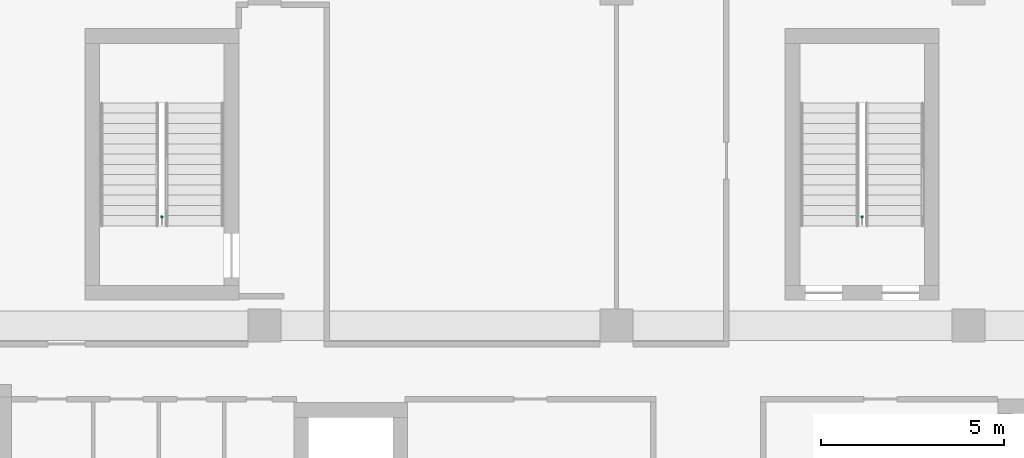
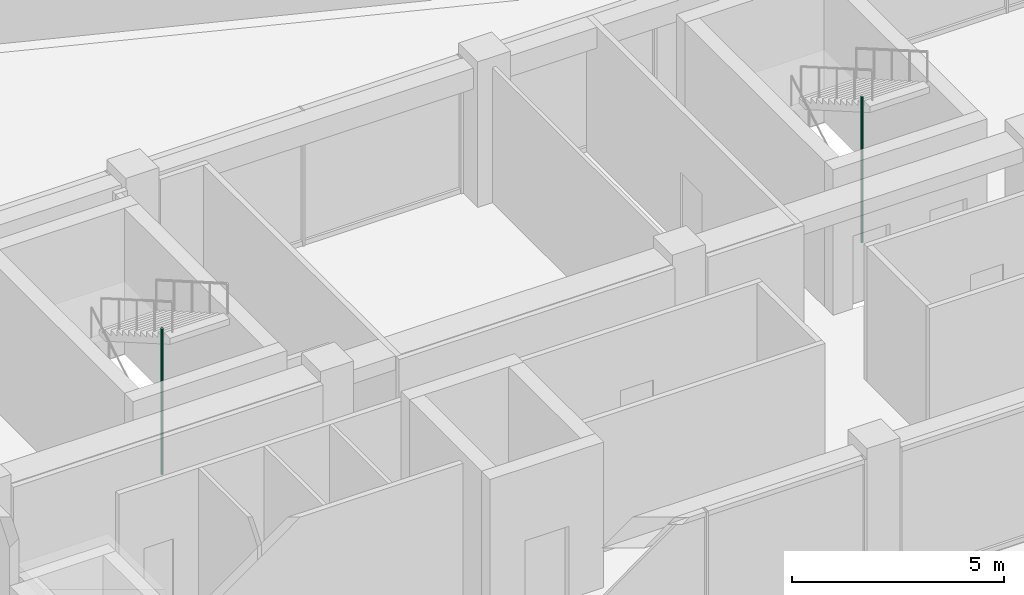
# One storey, part 70 of 72: 2 pipe segments.
"""IFC4 building model written with IfcOpenShell, lengths in metres."""

from ifc_helpers import new_model, si_unit, direction, frame, origin, origin_2d, place, context, subcontext, project, spatial, circle, extrude, element, save


model = new_model("IFC4")

# Units and contexts
model_context = context("Model", 3, precision=1e-05, world=origin(), true_north=direction((0.0, 1.0)))
body_context = subcontext(model_context, "Body", "Model", "MODEL_VIEW")
ifc_project = project(units=[si_unit("LENGTHUNIT", "METRE"), si_unit("AREAUNIT", "SQUARE_METRE"), si_unit("VOLUMEUNIT", "CUBIC_METRE"), si_unit("PLANEANGLEUNIT", "RADIAN"), si_unit("MASSUNIT", "GRAM", prefix="KILO")], contexts=[model_context])

# Site, building, storey
site_placement = place(None, origin())
site = spatial("IfcSite", under=ifc_project, at=site_placement, CompositionType="ELEMENT")
building_placement = place(site_placement, origin())
building = spatial("IfcBuilding", under=site, at=building_placement, Name="Nzadi Deep Aquarium and Research Tower", CompositionType="ELEMENT")
storey_placement = place(building_placement, frame((0.0, 0.0, 31.89990234375)))
storey = spatial("IfcBuildingStorey", under=building, at=storey_placement, Name="L05", CompositionType="ELEMENT", Elevation=31.89990234375)

# Pipe segments
for number, where, z_axis, x_axis, name in (
    (1, (6.800048828125, 39.77001953125, 0.0), (0.0, 0.0, 1.0), (1.0, 0.0, 0.0), "Dry riser ST-Z1-NW L05"),
    (2, (25.89990234375, 39.77001953125, 0.0), (0.0, 0.0, 1.0), (1.0, 0.0, 0.0), "Dry riser ST-Z1-NE L05"),
):
    element("IfcPipeSegment", number, at=place(storey_placement, frame(where, z_axis=z_axis, x_axis=x_axis)), inside=storey, Name=name, PredefinedType="RIGIDSEGMENT", context=body_context, shape_type="SweptSolid", body=[
        extrude(circle(Radius=0.034912109375, at=origin_2d()), origin(), (0.0, 0.0, 1.0), 4.2001953125),
    ])

save(model, "model.ifc")
